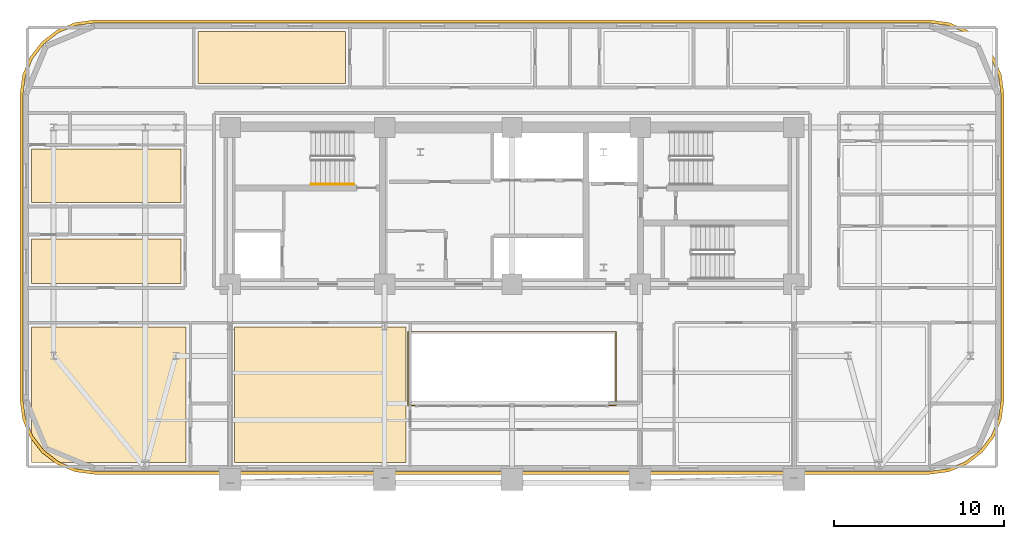
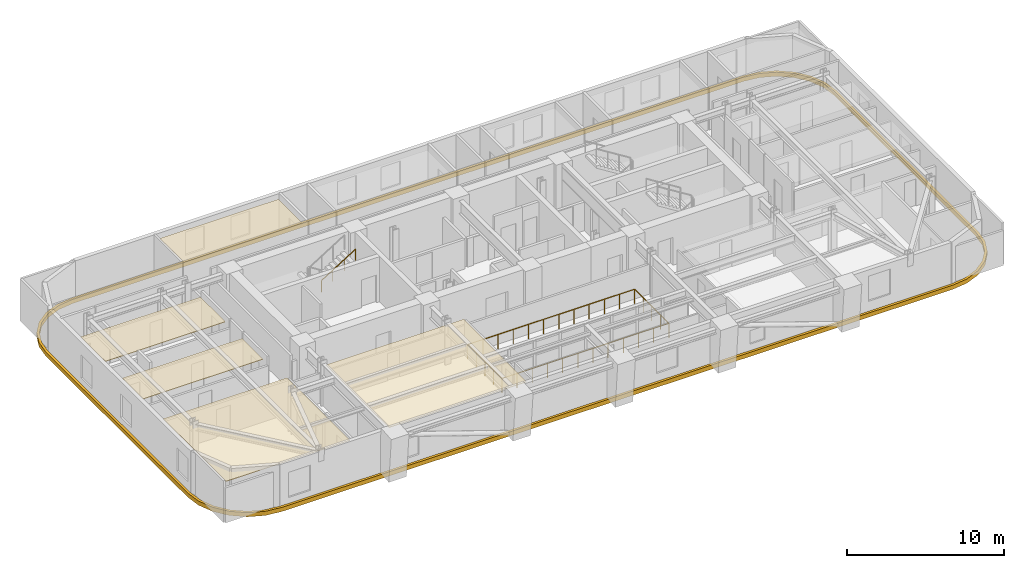
# One storey, part 12 of 14: 6 coverings, 2 railings.
"""IFC4 building model written with IfcOpenShell, lengths in metres."""

from ifc_helpers import new_model, si_unit, direction, frame, origin, origin_2d, place, context, subcontext, project, spatial, polyline, rectangle, outline, extrude, material, layer, layer_set, type_object, element, save


model = new_model("IFC4")

# Units and contexts
model_context = context("Model", 3, precision=1e-05, world=origin(), true_north=direction((0.0, 1.0)))
body_context = subcontext(model_context, "Body", "Model", "MODEL_VIEW")
ifc_project = project(units=[si_unit("LENGTHUNIT", "METRE"), si_unit("AREAUNIT", "SQUARE_METRE"), si_unit("VOLUMEUNIT", "CUBIC_METRE"), si_unit("PLANEANGLEUNIT", "RADIAN"), si_unit("MASSUNIT", "GRAM", prefix="KILO")], contexts=[model_context])

# Site, building, storey
site_placement = place(None, origin())
site = spatial("IfcSite", under=ifc_project, at=site_placement, CompositionType="ELEMENT")
building_placement = place(site_placement, origin())
building = spatial("IfcBuilding", under=site, at=building_placement, Name="Zarnavel Station Tower", CompositionType="ELEMENT")
storey_placement = place(building_placement, frame((0.0, 0.0, 108.300048828125)))
storey = spatial("IfcBuildingStorey", under=building, at=storey_placement, Name="L29", CompositionType="ELEMENT", Elevation=108.300048828125)

# Coverings
ifc_material_1 = material(Name="Perforated Gypsum and Mineral-Wool Acoustic Ceiling", Category="concrete")
ifc_layer = layer(ifc_material_1, 0.0400390625)
ifc_layer_set = layer_set([ifc_layer], Name="COV_CEIL_ACOUSTIC")
covering_type_1 = type_object("IfcCoveringType", Name="COV_CEIL_ACOUSTIC", PredefinedType="CEILING", material=ifc_layer_set)
covering_1_placement = place(storey_placement, frame((0.0, 0.0, 2.919921875)))
element("IfcCovering", 1, at=covering_1_placement, inside=storey, type_object=covering_type_1, Name="L29 FNW1R Acoustic Ceiling", PredefinedType="CEILING", context=body_context, shape_type="SweptSolid", body=[
    extrude(outline(polyline([(0.510009765625, 27.85009765625), (9.300048828125, 27.85009765625), (9.300048828125, 30.490966796875), (0.510009765625, 30.490966796875), (0.510009765625, 27.85009765625)])), origin(), (0.0, 0.0, 1.0), 0.0400390625),
])
covering_2_placement = place(storey_placement, frame((0.0, 0.0, 2.919921875)))
element("IfcCovering", 2, at=covering_2_placement, inside=storey, type_object=covering_type_1, Name="L29 FNW2R Acoustic Ceiling", PredefinedType="CEILING", context=body_context, shape_type="SweptSolid", body=[
    extrude(outline(polyline([(0.510009765625, 32.64111328125), (9.300048828125, 32.64111328125), (9.300048828125, 35.777099609375), (0.510009765625, 35.777099609375), (0.510009765625, 32.64111328125)])), origin(), (0.0, 0.0, 1.0), 0.0400390625),
])
covering_3_placement = place(storey_placement, frame((0.0, 0.0, 2.919921875)))
element("IfcCovering", 3, at=covering_3_placement, inside=storey, type_object=covering_type_1, Name="L29 HN1R Acoustic Ceiling", PredefinedType="CEILING", context=body_context, shape_type="SweptSolid", body=[
    extrude(outline(polyline([(10.31005859375, 39.64990234375), (19.0, 39.64990234375), (19.0, 42.68994140625), (10.31005859375, 42.68994140625), (10.31005859375, 39.64990234375)])), origin(), (0.0, 0.0, 1.0), 0.0400390625),
])
covering_4_placement = place(storey_placement, frame((0.0, 0.0, 2.919921875)))
element("IfcCovering", 4, at=covering_4_placement, inside=storey, type_object=covering_type_1, Name="L29 HW1R Acoustic Ceiling", PredefinedType="CEILING", context=body_context, shape_type="SweptSolid", body=[
    extrude(outline(polyline([(0.510009765625, 17.31005859375), (9.60009765625, 17.31005859375), (9.60009765625, 25.300048828125), (0.510009765625, 25.300048828125), (0.510009765625, 17.31005859375)])), origin(), (0.0, 0.0, 1.0), 0.0400390625),
])
covering_5_placement = place(storey_placement, frame((0.0, 0.0, 2.919921875)))
element("IfcCovering", 5, at=covering_5_placement, inside=storey, type_object=covering_type_1, Name="L29 L29STD Acoustic Ceiling", PredefinedType="CEILING", context=body_context, shape_type="SweptSolid", body=[
    extrude(outline(polyline([(12.449951171875, 17.31005859375), (22.550048828125, 17.31005859375), (22.550048828125, 25.300048828125), (12.449951171875, 25.300048828125), (12.449951171875, 17.31005859375)])), origin(), (0.0, 0.0, 1.0), 0.0400390625),
])
ifc_material_2 = material(Name="Precast concrete C45/55 (Pale Travertine Slab Band)", Category="masonry")
covering_type_2 = type_object("IfcCoveringType", Name="COV_TRAVERTINE_BAND", PredefinedType="CLADDING", material=ifc_material_2)
covering_6_placement = place(storey_placement, frame((0.0, 0.0, -0.260009765625)))
element("IfcCovering", 6, at=covering_6_placement, inside=storey, type_object=covering_type_2, Name="L29 Pale Travertine Slab-Edge Band", PredefinedType="CLADDING", context=body_context, shape_type="SweptSolid", body=[
    extrude(outline(polyline([(53.39990234375, 16.6201171875), (54.53369140625, 16.769287109375), (55.590087890625, 17.206787109375), (56.4970703125, 17.90283203125), (57.193115234375, 18.81005859375), (57.630859375, 19.866455078125), (57.780029296875, 21.0), (57.780029296875, 39.0), (57.630859375, 40.133544921875), (57.193115234375, 41.18994140625), (56.4970703125, 42.09716796875), (55.590087890625, 42.793212890625), (54.53369140625, 43.230712890625), (53.39990234375, 43.3798828125), (4.199951171875, 43.3798828125), (3.06640625, 43.230712890625), (2.010009765625, 42.793212890625), (1.102783203125, 42.09716796875), (0.40673828125, 41.18994140625), (-0.03076171875, 40.133544921875), (-0.179931640625, 39.0), (-0.179931640625, 21.0), (-0.03076171875, 19.866455078125), (0.40673828125, 18.81005859375), (1.102783203125, 17.90283203125), (2.010009765625, 17.206787109375), (3.06640625, 16.769287109375), (4.199951171875, 16.6201171875), (53.39990234375, 16.6201171875)]), holes=[polyline([(53.39990234375, 16.800048828125), (54.487060546875, 16.943115234375), (55.5, 17.36279296875), (56.369873046875, 18.0302734375), (57.037353515625, 18.89990234375), (57.456787109375, 19.9130859375), (57.60009765625, 21.0), (57.60009765625, 39.0), (57.456787109375, 40.0869140625), (57.037353515625, 41.10009765625), (56.369873046875, 41.9697265625), (55.5, 42.63720703125), (54.487060546875, 43.056884765625), (53.39990234375, 43.199951171875), (4.199951171875, 43.199951171875), (3.113037109375, 43.056884765625), (2.10009765625, 42.63720703125), (1.230224609375, 41.9697265625), (0.562744140625, 41.10009765625), (0.14306640625, 40.0869140625), (0.0, 39.0), (0.0, 21.0), (0.14306640625, 19.9130859375), (0.562744140625, 18.89990234375), (1.230224609375, 18.0302734375), (2.10009765625, 17.36279296875), (3.113037109375, 16.943115234375), (4.199951171875, 16.800048828125), (53.39990234375, 16.800048828125)])]), origin(), (0.0, 0.0, 1.0), 0.320068359375),
])

# Railings
ifc_material_3 = material(Name="Painted Steel S355J2 Balustrade", Category="steel")
railing_type_1 = type_object("IfcRailingType", Name="GR_INT_1150", PredefinedType="GUARDRAIL", material=ifc_material_3)
railing_1_placement = place(storey_placement, frame((22.679931640625, 20.679931640625, 0.0)))
element("IfcRailing", 7, at=railing_1_placement, inside=storey, type_object=railing_type_1, Name="L29 Atrium Void Guardrail", PredefinedType="GUARDRAIL", context=body_context, shape_type="SweptSolid", body=[
    extrude(rectangle(XDim=0.048095703125, YDim=0.048095703125, at=origin_2d()), frame((0.001953125, 0.0, 1.1259765625), z_axis=(1.0, 0.0, 0.0), x_axis=(0.0, 1.0, 0.0)), (0.0, 0.0, 1.0), 12.236083984375),
    extrude(rectangle(XDim=0.048095703125, YDim=0.048095703125, at=origin_2d()), frame((12.239990234375, 0.001953125, 1.1259765625), z_axis=(0.0, 1.0, 0.0), x_axis=(-1.0, 0.0, 0.0)), (0.0, 0.0, 1.0), 4.336181640625),
    extrude(rectangle(XDim=0.048095703125, YDim=0.048095703125, at=origin_2d()), frame((12.238037109375, 4.340087890625, 1.1259765625), z_axis=(-1.0, 0.0, 0.0), x_axis=(0.0, -1.0, 0.0)), (0.0, 0.0, 1.0), 12.236083984375),
    extrude(rectangle(XDim=0.048095703125, YDim=0.048095703125, at=origin_2d()), frame((0.0, 4.338134765625, 1.1259765625), z_axis=(0.0, -1.0, 0.0), x_axis=(1.0, 0.0, 0.0)), (0.0, 0.0, 1.0), 4.336181640625),
    extrude(rectangle(XDim=0.0419921875, YDim=0.0419921875, at=origin_2d()), origin(), (0.0, 0.0, 1.0), 1.101806640625),
    extrude(rectangle(XDim=0.0419921875, YDim=0.0419921875, at=origin_2d()), frame((1.11279296875, 0.0, 0.0)), (0.0, 0.0, 1.0), 1.101806640625),
    extrude(rectangle(XDim=0.0419921875, YDim=0.0419921875, at=origin_2d()), frame((2.225341796875, 0.0, 0.0)), (0.0, 0.0, 1.0), 1.101806640625),
    extrude(rectangle(XDim=0.0419921875, YDim=0.0419921875, at=origin_2d()), frame((3.338134765625, 0.0, 0.0)), (0.0, 0.0, 1.0), 1.101806640625),
    extrude(rectangle(XDim=0.0419921875, YDim=0.0419921875, at=origin_2d()), frame((4.450927734375, 0.0, 0.0)), (0.0, 0.0, 1.0), 1.101806640625),
    extrude(rectangle(XDim=0.0419921875, YDim=0.0419921875, at=origin_2d()), frame((5.563720703125, 0.0, 0.0)), (0.0, 0.0, 1.0), 1.101806640625),
    extrude(rectangle(XDim=0.0419921875, YDim=0.0419921875, at=origin_2d()), frame((6.67626953125, 0.0, 0.0)), (0.0, 0.0, 1.0), 1.101806640625),
    extrude(rectangle(XDim=0.0419921875, YDim=0.0419921875, at=origin_2d()), frame((7.7890625, 0.0, 0.0)), (0.0, 0.0, 1.0), 1.101806640625),
    extrude(rectangle(XDim=0.0419921875, YDim=0.0419921875, at=origin_2d()), frame((8.90185546875, 0.0, 0.0)), (0.0, 0.0, 1.0), 1.101806640625),
    extrude(rectangle(XDim=0.0419921875, YDim=0.0419921875, at=origin_2d()), frame((10.0146484375, 0.0, 0.0)), (0.0, 0.0, 1.0), 1.101806640625),
    extrude(rectangle(XDim=0.0419921875, YDim=0.0419921875, at=origin_2d()), frame((11.127197265625, 0.0, 0.0)), (0.0, 0.0, 1.0), 1.101806640625),
    extrude(rectangle(XDim=0.0419921875, YDim=0.0419921875, at=origin_2d()), frame((12.239990234375, 0.0, 0.0)), (0.0, 0.0, 1.0), 1.101806640625),
    extrude(rectangle(XDim=0.0419921875, YDim=0.0419921875, at=origin_2d()), frame((12.239990234375, 1.0849609375, 0.0)), (0.0, 0.0, 1.0), 1.101806640625),
    extrude(rectangle(XDim=0.0419921875, YDim=0.0419921875, at=origin_2d()), frame((12.239990234375, 2.169921875, 0.0)), (0.0, 0.0, 1.0), 1.101806640625),
    extrude(rectangle(XDim=0.0419921875, YDim=0.0419921875, at=origin_2d()), frame((12.239990234375, 3.255126953125, 0.0)), (0.0, 0.0, 1.0), 1.101806640625),
    extrude(rectangle(XDim=0.0419921875, YDim=0.0419921875, at=origin_2d()), frame((12.239990234375, 4.340087890625, 0.0)), (0.0, 0.0, 1.0), 1.101806640625),
    extrude(rectangle(XDim=0.0419921875, YDim=0.0419921875, at=origin_2d()), frame((11.127197265625, 4.340087890625, 0.0)), (0.0, 0.0, 1.0), 1.101806640625),
    extrude(rectangle(XDim=0.0419921875, YDim=0.0419921875, at=origin_2d()), frame((10.0146484375, 4.340087890625, 0.0)), (0.0, 0.0, 1.0), 1.101806640625),
    extrude(rectangle(XDim=0.0419921875, YDim=0.0419921875, at=origin_2d()), frame((8.90185546875, 4.340087890625, 0.0)), (0.0, 0.0, 1.0), 1.101806640625),
    extrude(rectangle(XDim=0.0419921875, YDim=0.0419921875, at=origin_2d()), frame((7.7890625, 4.340087890625, 0.0)), (0.0, 0.0, 1.0), 1.101806640625),
    extrude(rectangle(XDim=0.0419921875, YDim=0.0419921875, at=origin_2d()), frame((6.67626953125, 4.340087890625, 0.0)), (0.0, 0.0, 1.0), 1.101806640625),
    extrude(rectangle(XDim=0.0419921875, YDim=0.0419921875, at=origin_2d()), frame((5.563720703125, 4.340087890625, 0.0)), (0.0, 0.0, 1.0), 1.101806640625),
    extrude(rectangle(XDim=0.0419921875, YDim=0.0419921875, at=origin_2d()), frame((4.450927734375, 4.340087890625, 0.0)), (0.0, 0.0, 1.0), 1.101806640625),
    extrude(rectangle(XDim=0.0419921875, YDim=0.0419921875, at=origin_2d()), frame((3.338134765625, 4.340087890625, 0.0)), (0.0, 0.0, 1.0), 1.101806640625),
    extrude(rectangle(XDim=0.0419921875, YDim=0.0419921875, at=origin_2d()), frame((2.225341796875, 4.340087890625, 0.0)), (0.0, 0.0, 1.0), 1.101806640625),
    extrude(rectangle(XDim=0.0419921875, YDim=0.0419921875, at=origin_2d()), frame((1.11279296875, 4.340087890625, 0.0)), (0.0, 0.0, 1.0), 1.101806640625),
    extrude(rectangle(XDim=0.0419921875, YDim=0.0419921875, at=origin_2d()), frame((0.0, 4.340087890625, 0.0)), (0.0, 0.0, 1.0), 1.101806640625),
    extrude(rectangle(XDim=0.0419921875, YDim=0.0419921875, at=origin_2d()), frame((0.0, 3.255126953125, 0.0)), (0.0, 0.0, 1.0), 1.101806640625),
    extrude(rectangle(XDim=0.0419921875, YDim=0.0419921875, at=origin_2d()), frame((0.0, 2.169921875, 0.0)), (0.0, 0.0, 1.0), 1.101806640625),
    extrude(rectangle(XDim=0.0419921875, YDim=0.0419921875, at=origin_2d()), frame((0.0, 1.0849609375, 0.0)), (0.0, 0.0, 1.0), 1.101806640625),
])
ifc_material_4 = material(Name="Brushed Stainless Steel S355J2 Handrail", Category="steel")
railing_type_2 = type_object("IfcRailingType", Name="HR_STAIR_900", PredefinedType="HANDRAIL", material=ifc_material_4)
railing_2_placement = place(storey_placement, frame((16.9599609375, 33.7099609375, 1.925048828125)))
element("IfcRailing", 8, at=railing_2_placement, inside=storey, type_object=railing_type_2, Name="L29 ST1 stair handrail 2", PredefinedType="HANDRAIL", context=body_context, shape_type="SweptSolid", body=[
    extrude(rectangle(XDim=0.048095703125, YDim=0.048095703125, at=origin_2d()), frame((0.001708984375, 0.0, 0.876953125), z_axis=(0.848007534815, 0.0, 0.529984170421), x_axis=(0.0, 1.0, 0.0)), (0.0, 0.0, 1.0), 2.9677734375),
    extrude(rectangle(XDim=0.0419921875, YDim=0.0419921875, at=origin_2d()), origin(), (0.0, 0.0, 1.0), 0.851806640625),
    extrude(rectangle(XDim=0.0419921875, YDim=0.0419921875, at=origin_2d()), frame((0.840087890625, 0.0, 0.52490234375)), (0.0, 0.0, 1.0), 0.851806640625),
    extrude(rectangle(XDim=0.0419921875, YDim=0.0419921875, at=origin_2d()), frame((1.679931640625, 0.0, 1.050048828125)), (0.0, 0.0, 1.0), 0.851806640625),
    extrude(rectangle(XDim=0.0419921875, YDim=0.0419921875, at=origin_2d()), frame((2.52001953125, 0.0, 1.574951171875)), (0.0, 0.0, 1.0), 0.851806640625),
])

save(model, "model.ifc")
